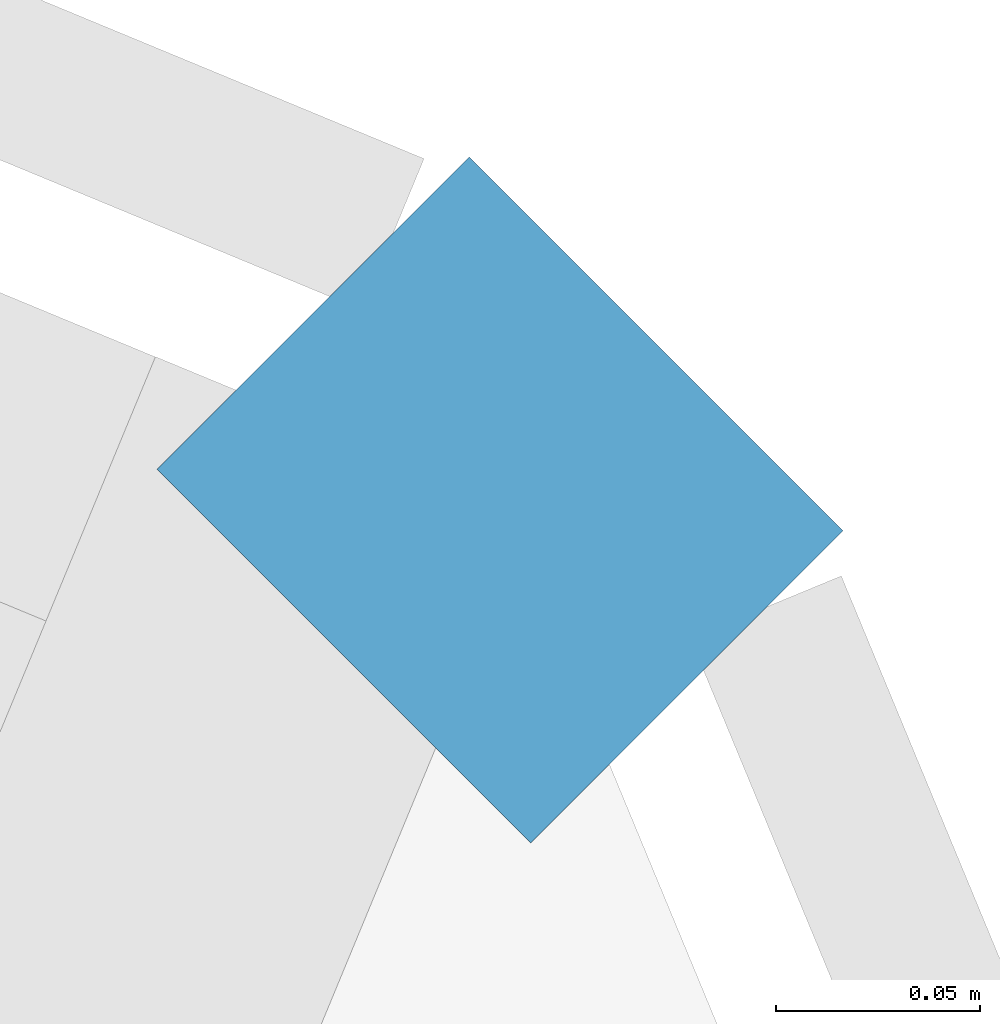
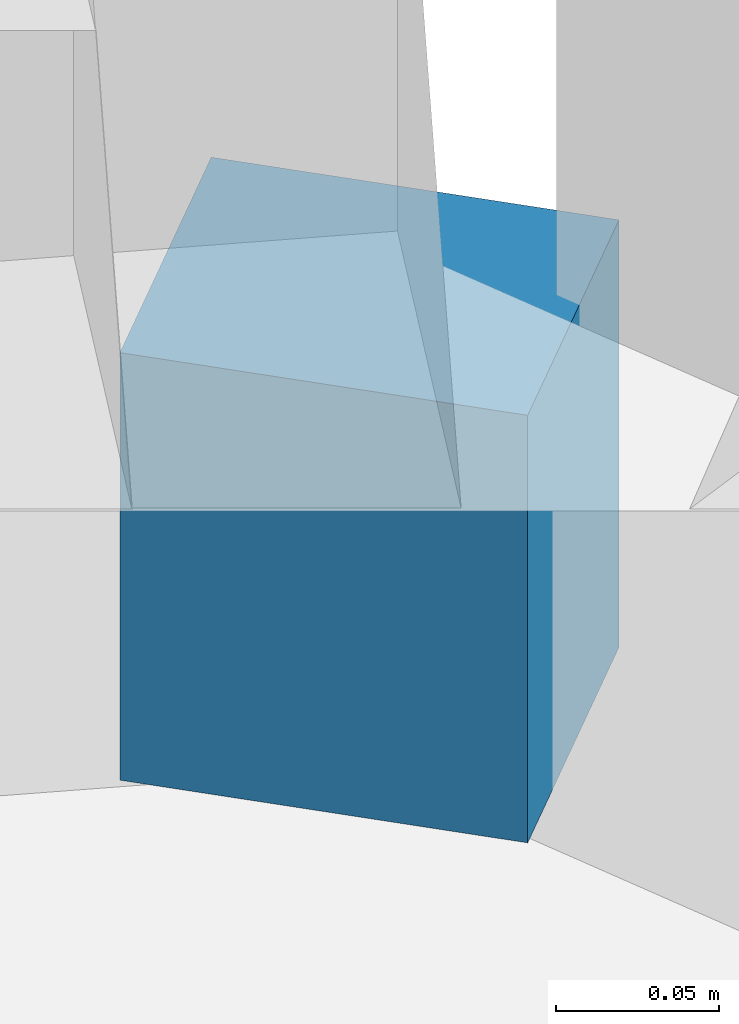
# One storey, part 24 of 33: 1 discrete accessory.
"""IFC4 building model written with IfcOpenShell, lengths in metres."""

from ifc_helpers import new_model, si_unit, direction, frame, origin, origin_2d, place, context, subcontext, project, spatial, rectangle, extrude, material, type_object, element, save


model = new_model("IFC4")

# Units and contexts
model_context = context("Model", 3, precision=1e-05, world=origin(), true_north=direction((0.0, 1.0)))
body_context = subcontext(model_context, "Body", "Model", "MODEL_VIEW")
ifc_project = project(units=[si_unit("LENGTHUNIT", "METRE"), si_unit("AREAUNIT", "SQUARE_METRE"), si_unit("VOLUMEUNIT", "CUBIC_METRE"), si_unit("PLANEANGLEUNIT", "RADIAN"), si_unit("MASSUNIT", "GRAM", prefix="KILO")], contexts=[model_context])

# Site, building, storey
site_placement = place(None, origin())
site = spatial("IfcSite", under=ifc_project, at=site_placement, CompositionType="ELEMENT")
building_placement = place(site_placement, origin())
building = spatial("IfcBuilding", under=site, at=building_placement, Name="Siwar Civic Tower", CompositionType="ELEMENT")
storey_placement = place(building_placement, frame((0.0, 0.0, 94.199951171875)))
storey = spatial("IfcBuildingStorey", under=building, at=storey_placement, Name="L20", CompositionType="ELEMENT", Elevation=94.199951171875)

# Discrete accessory
ifc_material = material(Name="Stainless steel 316", Category="steel")
discrete_accessory_type = type_object("IfcDiscreteAccessoryType", Name="ENV-BRACKET", PredefinedType="BRACKET", material=ifc_material)
discrete_accessory_placement = place(storey_placement, frame((29.514404296875, 29.514404296875, -0.1796875), z_axis=(0.0, 0.0, 1.0), x_axis=(0.707106781187, 0.707106781187, 0.0)))
element("IfcDiscreteAccessory", 1, at=discrete_accessory_placement, inside=storey, type_object=discrete_accessory_type, Name="Bracket outer skin joint V05", PredefinedType="BRACKET", context=body_context, shape_type="SweptSolid", body=[
    extrude(rectangle(XDim=0.108154296875, YDim=0.12939453125, at=origin_2d()), origin(), (0.0, 0.0, 1.0), 0.159912109375),
])

save(model, "model.ifc")
